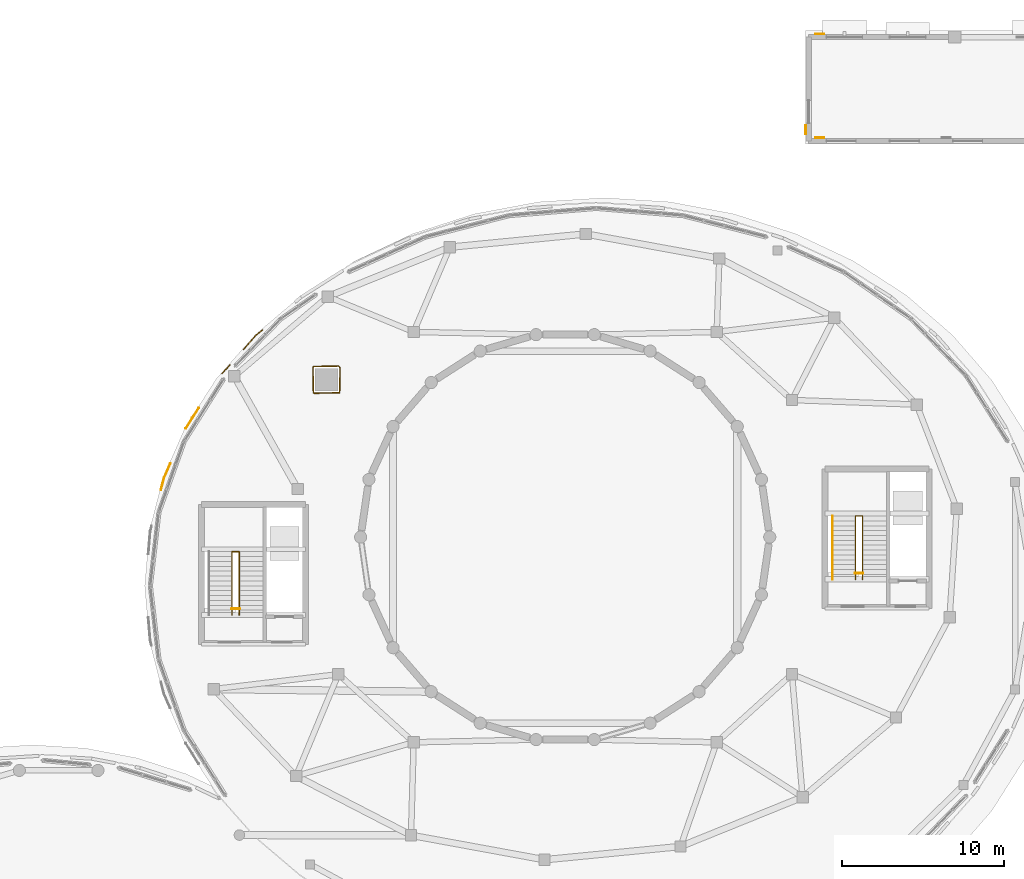
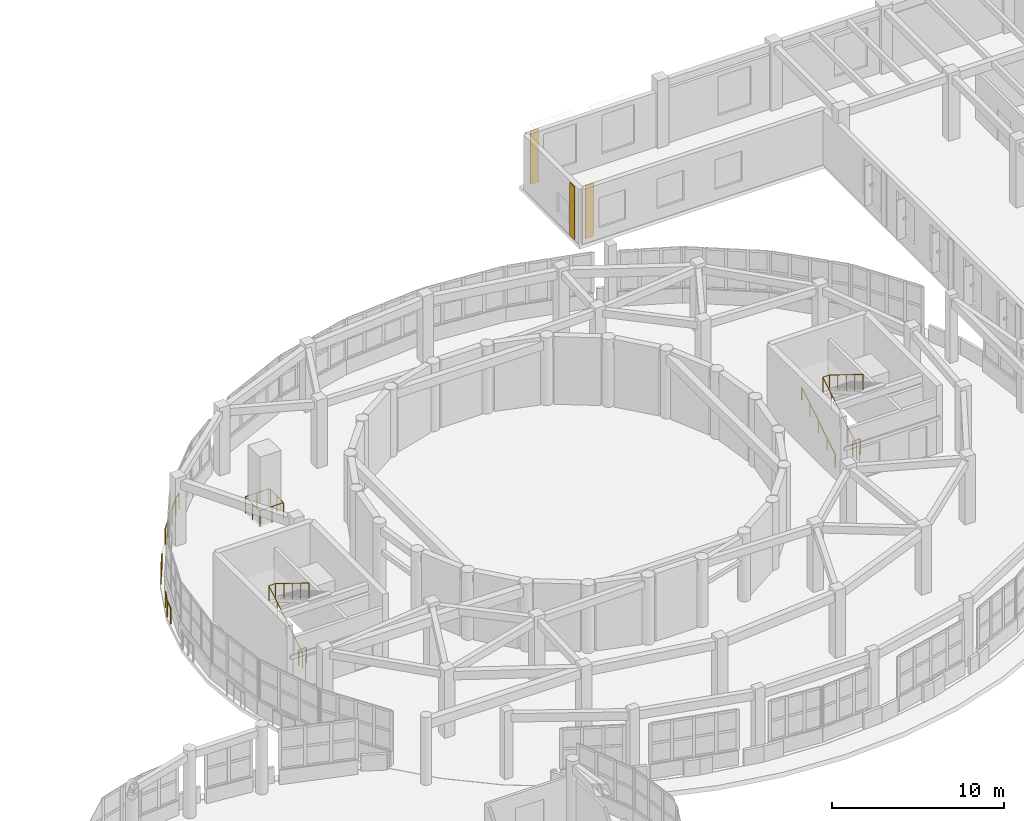
# One storey, part 95 of 98: 11 railings, 3 coverings.
"""IFC4 building model written with IfcOpenShell, lengths in metres."""

from ifc_helpers import new_model, si_unit, direction, frame, origin, origin_2d, place, context, subcontext, project, spatial, rectangle, circle, extrude, material, layer, layer_set, type_object, element, save


model = new_model("IFC4")

# Units and contexts
model_context = context("Model", 3, precision=1e-05, world=origin(), true_north=direction((0.0, 1.0)))
body_context = subcontext(model_context, "Body", "Model", "MODEL_VIEW")
ifc_project = project(units=[si_unit("LENGTHUNIT", "METRE"), si_unit("AREAUNIT", "SQUARE_METRE"), si_unit("VOLUMEUNIT", "CUBIC_METRE"), si_unit("PLANEANGLEUNIT", "RADIAN"), si_unit("MASSUNIT", "GRAM", prefix="KILO")], contexts=[model_context])

# Site, building, storey
site_placement = place(None, origin())
site = spatial("IfcSite", under=ifc_project, at=site_placement, CompositionType="ELEMENT")
building_placement = place(site_placement, origin())
building = spatial("IfcBuilding", under=site, at=building_placement, Name="Pelvatis Terrace Science Centre", CompositionType="ELEMENT")
storey_placement = place(building_placement, frame((0.0, 0.0, 5.39990234375)))
storey = spatial("IfcBuildingStorey", under=building, at=storey_placement, Name="L01", CompositionType="ELEMENT", Elevation=5.39990234375)

# Coverings
ifc_material_1 = material(Name="Fluted warm stone-aggregate precast facade relief panel", Category="masonry")
ifc_layer = layer(ifc_material_1, 0.054931640625)
ifc_layer_set = layer_set([ifc_layer], Name="Fluted warm stone-aggregate precast facade relief panel")
covering_type = type_object("IfcCoveringType", Name="COV-CLAD-PREC-55", PredefinedType="CLADDING", material=ifc_layer_set)
covering_1_placement = place(storey_placement, frame((124.8798828125, 116.78759765625, 0.06005859375), z_axis=(0.0, 0.0, 1.0), x_axis=(1.0, 0.0, 0.0)))
element("IfcCovering", 1, at=covering_1_placement, inside=storey, type_object=covering_type, Name="Classical fluted stone pilaster strip 21", PredefinedType="CLADDING", context=body_context, shape_type="SweptSolid", body=[
    extrude(rectangle(XDim=0.550048828125, YDim=0.054931640625, at=origin_2d()), origin(), (0.0, 0.0, 1.0), 3.739990234375),
])
covering_2_placement = place(storey_placement, frame((124.012451171875, 110.8798828125, 0.06005859375), z_axis=(0.0, 0.0, 1.0), x_axis=(1.0, 0.0, 0.0)))
element("IfcCovering", 2, at=covering_2_placement, inside=storey, type_object=covering_type, Name="Classical fluted stone pilaster strip 22", PredefinedType="CLADDING", context=body_context, shape_type="SweptSolid", body=[
    extrude(rectangle(XDim=0.054931640625, YDim=0.550048828125, at=origin_2d()), origin(), (0.0, 0.0, 1.0), 3.739990234375),
])
covering_3_placement = place(storey_placement, frame((124.8798828125, 110.387451171875, 0.06005859375), z_axis=(0.0, 0.0, 1.0), x_axis=(1.0, 0.0, 0.0)))
element("IfcCovering", 3, at=covering_3_placement, inside=storey, type_object=covering_type, Name="Classical fluted stone pilaster strip 23", PredefinedType="CLADDING", context=body_context, shape_type="SweptSolid", body=[
    extrude(rectangle(XDim=0.550048828125, YDim=0.054931640625, at=origin_2d()), origin(), (0.0, 0.0, 1.0), 3.739990234375),
])

# Railings
ifc_material_2 = material(Name="Bronze-anodised aluminium and laminated safety glass balustrade", Category="aluminium")
railing_type_1 = type_object("IfcRailingType", Name="RLG-BAL-1150", PredefinedType="BALUSTRADE", material=ifc_material_2)
railing_1_placement = place(storey_placement, frame((84.301025390625, 88.718994140625, 0.0)))
element("IfcRailing", 4, at=railing_1_placement, inside=storey, type_object=railing_type_1, Name="Perimeter edge balustrade RLG-EDG-L01-122", PredefinedType="BALUSTRADE", context=body_context, shape_type="SweptSolid", body=[
    extrude(circle(Radius=0.02392578125, at=origin_2d()), frame((0.0, 0.0, 1.1259765625), z_axis=(0.248094918409, 0.96873572839, 0.0), x_axis=(-0.96873572839, 0.248094918409, 0.0)), (0.0, 0.0, 1.0), 0.733154296875),
    extrude(circle(Radius=0.02392578125, at=origin_2d()), frame((0.181884765625, 0.710205078125, 1.1259765625), z_axis=(0.4023437367, 0.915488676903, 0.0), x_axis=(-0.915488676903, 0.4023437367, 0.0)), (0.0, 0.0, 1.0), 0.973876953125),
    extrude(circle(Radius=0.02099609375, at=origin_2d()), origin(), (0.0, 0.0, 1.0), 1.101806640625),
    extrude(circle(Radius=0.02099609375, at=origin_2d()), frame((0.181884765625, 0.710205078125, 0.0)), (0.0, 0.0, 1.0), 1.101806640625),
    extrude(circle(Radius=0.02099609375, at=origin_2d()), frame((0.57373046875, 1.601806640625, 0.0)), (0.0, 0.0, 1.0), 1.101806640625),
])
railing_2_placement = place(storey_placement, frame((85.83203125, 92.5, 0.0)))
element("IfcRailing", 5, at=railing_2_placement, inside=storey, type_object=railing_type_1, Name="Perimeter edge balustrade RLG-EDG-L01-123", PredefinedType="BALUSTRADE", context=body_context, shape_type="SweptSolid", body=[
    extrude(circle(Radius=0.02392578125, at=origin_2d()), frame((0.0, 0.0, 1.1259765625), z_axis=(0.533629471116, 0.84571838549, 0.0), x_axis=(-0.84571838549, 0.533629471116, 0.0)), (0.0, 0.0, 1.0), 1.490966796875),
    extrude(circle(Radius=0.02099609375, at=origin_2d()), origin(), (0.0, 0.0, 1.0), 1.101806640625),
    extrude(circle(Radius=0.02099609375, at=origin_2d()), frame((0.39794921875, 0.63037109375, 0.0)), (0.0, 0.0, 1.0), 1.101806640625),
    extrude(circle(Radius=0.02099609375, at=origin_2d()), frame((0.795654296875, 1.260986328125, 0.0)), (0.0, 0.0, 1.0), 1.101806640625),
])
railing_3_placement = place(storey_placement, frame((88.070068359375, 95.873291015625, 0.0)))
element("IfcRailing", 6, at=railing_3_placement, inside=storey, type_object=railing_type_1, Name="Perimeter edge balustrade RLG-EDG-L01-124", PredefinedType="BALUSTRADE", context=body_context, shape_type="SweptSolid", body=[
    extrude(circle(Radius=0.02392578125, at=origin_2d()), frame((0.0, 0.0, 1.1259765625), z_axis=(0.661587553381, 0.749867927846, 0.0), x_axis=(-0.749867927846, 0.661587553381, 0.0)), (0.0, 0.0, 1.0), 0.710693359375),
    extrude(circle(Radius=0.02099609375, at=origin_2d()), origin(), (0.0, 0.0, 1.0), 1.101806640625),
    extrude(circle(Radius=0.02099609375, at=origin_2d()), frame((0.47021484375, 0.532958984375, 0.0)), (0.0, 0.0, 1.0), 1.101806640625),
])
railing_4_placement = place(storey_placement, frame((89.386474609375, 97.36572265625, 0.0)))
element("IfcRailing", 7, at=railing_4_placement, inside=storey, type_object=railing_type_1, Name="Perimeter edge balustrade RLG-EDG-L01-125", PredefinedType="BALUSTRADE", context=body_context, shape_type="SweptSolid", body=[
    extrude(circle(Radius=0.02392578125, at=origin_2d()), frame((0.0, 0.0, 1.1259765625), z_axis=(0.661227825046, 0.750185152736, 0.0), x_axis=(-0.750185152736, 0.661227825046, 0.0)), (0.0, 0.0, 1.0), 1.1279296875),
    extrude(circle(Radius=0.02392578125, at=origin_2d()), frame((0.745849609375, 0.84619140625, 1.1259765625), z_axis=(0.76253592523, 0.646945873109, 0.0), x_axis=(-0.646945873109, 0.76253592523, 0.0)), (0.0, 0.0, 1.0), 0.544921875),
    extrude(circle(Radius=0.02099609375, at=origin_2d()), origin(), (0.0, 0.0, 1.0), 1.101806640625),
    extrude(circle(Radius=0.02099609375, at=origin_2d()), frame((0.745849609375, 0.84619140625, 0.0)), (0.0, 0.0, 1.0), 1.101806640625),
    extrude(circle(Radius=0.02099609375, at=origin_2d()), frame((1.161376953125, 1.19873046875, 0.0)), (0.0, 0.0, 1.0), 1.101806640625),
])
railing_5_placement = place(storey_placement, frame((95.3349609375, 96.235107421875, 0.0)))
element("IfcRailing", 8, at=railing_5_placement, inside=storey, type_object=railing_type_1, Name="Perimeter edge balustrade RLG-EDG-L01-239", PredefinedType="BALUSTRADE", context=body_context, shape_type="SweptSolid", body=[
    extrude(circle(Radius=0.02392578125, at=origin_2d()), frame((0.0, 0.0, 1.1259765625), z_axis=(-0.69740361411, 0.716678588369, 0.0), x_axis=(-0.716678588369, -0.69740361411, 0.0)), (0.0, 0.0, 1.0), 0.139404296875),
    extrude(circle(Radius=0.02392578125, at=origin_2d()), frame((-0.09716796875, 0.099853515625, 1.1259765625), z_axis=(-0.999842712423, -0.017735569178, 0.0), x_axis=(0.017735569178, -0.999842712423, 0.0)), (0.0, 0.0, 1.0), 1.541748046875),
    extrude(circle(Radius=0.02392578125, at=origin_2d()), frame((-1.638671875, 0.072509765625, 1.1259765625), z_axis=(-0.395784388511, -0.918343463967, 0.0), x_axis=(0.918343463967, -0.395784388511, 0.0)), (0.0, 0.0, 1.0), 0.078857421875),
    extrude(circle(Radius=0.02392578125, at=origin_2d()), frame((-1.669921875, 0.0, 1.1259765625), z_axis=(0.017766511544, -0.999842163078, 0.0), x_axis=(0.999842163078, 0.017766511544, 0.0)), (0.0, 0.0, 1.0), 1.5390625),
    extrude(circle(Radius=0.02099609375, at=origin_2d()), origin(), (0.0, 0.0, 1.0), 1.101806640625),
    extrude(circle(Radius=0.02099609375, at=origin_2d()), frame((-0.09716796875, 0.099853515625, 0.0)), (0.0, 0.0, 1.0), 1.101806640625),
    extrude(circle(Radius=0.02099609375, at=origin_2d()), frame((-0.867919921875, 0.086181640625, 0.0)), (0.0, 0.0, 1.0), 1.101806640625),
    extrude(circle(Radius=0.02099609375, at=origin_2d()), frame((-1.638671875, 0.072509765625, 0.0)), (0.0, 0.0, 1.0), 1.101806640625),
    extrude(circle(Radius=0.02099609375, at=origin_2d()), frame((-1.669921875, 0.0, 0.0)), (0.0, 0.0, 1.0), 1.101806640625),
    extrude(circle(Radius=0.02099609375, at=origin_2d()), frame((-1.65625, -0.76953125, 0.0)), (0.0, 0.0, 1.0), 1.101806640625),
    extrude(circle(Radius=0.02099609375, at=origin_2d()), frame((-1.642578125, -1.538818359375, 0.0)), (0.0, 0.0, 1.0), 1.101806640625),
])
railing_6_placement = place(storey_placement, frame((93.6923828125, 94.6962890625, 0.0)))
element("IfcRailing", 9, at=railing_6_placement, inside=storey, type_object=railing_type_1, Name="Perimeter edge balustrade RLG-EDG-L01-240", PredefinedType="BALUSTRADE", context=body_context, shape_type="SweptSolid", body=[
    extrude(circle(Radius=0.02392578125, at=origin_2d()), frame((0.0, 0.0, 1.1259765625), z_axis=(0.918343463967, -0.395784388511, 0.0), x_axis=(0.395784388511, 0.918343463967, 0.0)), (0.0, 0.0, 1.0), 0.078857421875),
    extrude(circle(Radius=0.02392578125, at=origin_2d()), frame((0.072509765625, -0.03125, 1.1259765625), z_axis=(0.999842163078, 0.017766511544, 0.0), x_axis=(-0.017766511544, 0.999842163078, 0.0)), (0.0, 0.0, 1.0), 1.5390625),
    extrude(circle(Radius=0.02392578125, at=origin_2d()), frame((1.611328125, -0.00390625, 1.1259765625), z_axis=(0.020252215155, 0.999794902858, 0.0), x_axis=(-0.999794902858, 0.020252215155, 0.0)), (0.0, 0.0, 1.0), 1.54296875),
    extrude(circle(Radius=0.02099609375, at=origin_2d()), origin(), (0.0, 0.0, 1.0), 1.101806640625),
    extrude(circle(Radius=0.02099609375, at=origin_2d()), frame((0.072509765625, -0.03125, 0.0)), (0.0, 0.0, 1.0), 1.101806640625),
    extrude(circle(Radius=0.02099609375, at=origin_2d()), frame((0.841796875, -0.017578125, 0.0)), (0.0, 0.0, 1.0), 1.101806640625),
    extrude(circle(Radius=0.02099609375, at=origin_2d()), frame((1.611328125, -0.00390625, 0.0)), (0.0, 0.0, 1.0), 1.101806640625),
    extrude(circle(Radius=0.02099609375, at=origin_2d()), frame((1.626953125, 0.767578125, 0.0)), (0.0, 0.0, 1.0), 1.101806640625),
    extrude(circle(Radius=0.02099609375, at=origin_2d()), frame((1.642578125, 1.538818359375, 0.0)), (0.0, 0.0, 1.0), 1.101806640625),
])
ifc_material_3 = material(Name="Brushed architectural bronze tubular railing", Category="steel")
railing_type_2 = type_object("IfcRailingType", Name="RLG-GRD-1120", PredefinedType="GUARDRAIL", material=ifc_material_3)
railing_7_placement = place(storey_placement, frame((88.679931640625, 81.0, 0.0)))
element("IfcRailing", 10, at=railing_7_placement, inside=storey, type_object=railing_type_2, Name="Stair ST-01-L01 inner well guardrail", PredefinedType="GUARDRAIL", context=body_context, shape_type="SweptSolid", body=[
    extrude(circle(Radius=0.02392578125, at=origin_2d()), frame((0.0, 0.0, 1.09619140625), z_axis=(0.0, 0.851638180308, 0.5241301459), x_axis=(-1.0, 0.0, 0.0)), (0.0, 0.0, 1.0), 4.579345703125),
    extrude(circle(Radius=0.02392578125, at=origin_2d()), frame((0.0, 3.89990234375, 3.49609375), z_axis=(1.0, 0.0, 0.0), x_axis=(0.0, 1.0, 0.0)), (0.0, 0.0, 1.0), 0.440185546875),
    extrude(circle(Radius=0.02392578125, at=origin_2d()), frame((0.440185546875, 3.89990234375, 3.49609375), z_axis=(0.0, -0.851661977835, 0.524091476281), x_axis=(1.0, 0.0, 0.0)), (0.0, 0.0, 1.0), 4.5791015625),
    extrude(circle(Radius=0.02099609375, at=origin_2d()), origin(), (0.0, 0.0, 1.0), 1.072021484375),
    extrude(circle(Radius=0.02099609375, at=origin_2d()), frame((0.0, 0.97509765625, 0.60009765625)), (0.0, 0.0, 1.0), 1.072021484375),
    extrude(circle(Radius=0.02099609375, at=origin_2d()), frame((0.0, 1.949951171875, 1.2001953125)), (0.0, 0.0, 1.0), 1.072021484375),
    extrude(circle(Radius=0.02099609375, at=origin_2d()), frame((0.0, 2.9248046875, 1.800048828125)), (0.0, 0.0, 1.0), 1.072021484375),
    extrude(circle(Radius=0.02099609375, at=origin_2d()), frame((0.0, 3.89990234375, 2.400146484375)), (0.0, 0.0, 1.0), 1.072021484375),
    extrude(circle(Radius=0.02099609375, at=origin_2d()), frame((0.440185546875, 3.89990234375, 2.400146484375)), (0.0, 0.0, 1.0), 1.072021484375),
    extrude(circle(Radius=0.02099609375, at=origin_2d()), frame((0.440185546875, 2.9248046875, 3.0)), (0.0, 0.0, 1.0), 1.072021484375),
    extrude(circle(Radius=0.02099609375, at=origin_2d()), frame((0.440185546875, 1.949951171875, 3.60009765625)), (0.0, 0.0, 1.0), 1.072021484375),
    extrude(circle(Radius=0.02099609375, at=origin_2d()), frame((0.440185546875, 0.97509765625, 4.2001953125)), (0.0, 0.0, 1.0), 1.072021484375),
    extrude(circle(Radius=0.02099609375, at=origin_2d()), frame((0.440185546875, 0.0, 4.800048828125)), (0.0, 0.0, 1.0), 1.072021484375),
])
railing_8_placement = place(storey_placement, frame((88.64990234375, 81.3798828125, 0.0)))
element("IfcRailing", 11, at=railing_8_placement, inside=storey, type_object=railing_type_2, Name="Core C1 landing well slot guard (L01)", PredefinedType="GUARDRAIL", context=body_context, shape_type="SweptSolid", body=[
    extrude(circle(Radius=0.02392578125, at=origin_2d()), frame((0.0, 0.0, 1.09619140625), z_axis=(1.0, 0.0, 0.0), x_axis=(0.0, 1.0, 0.0)), (0.0, 0.0, 1.0), 0.5),
    extrude(circle(Radius=0.02099609375, at=origin_2d()), origin(), (0.0, 0.0, 1.0), 1.072021484375),
    extrude(circle(Radius=0.02099609375, at=origin_2d()), frame((0.5, 0.0, 0.0)), (0.0, 0.0, 1.0), 1.072021484375),
])
railing_9_placement = place(storey_placement, frame((127.080078125, 83.199951171875, 0.0)))
element("IfcRailing", 12, at=railing_9_placement, inside=storey, type_object=railing_type_2, Name="Stair ST-02-L01 inner well guardrail", PredefinedType="GUARDRAIL", context=body_context, shape_type="SweptSolid", body=[
    extrude(circle(Radius=0.02392578125, at=origin_2d()), frame((0.0, 0.0, 1.09619140625), z_axis=(0.0, 0.851652825334, 0.524106349037), x_axis=(-1.0, 0.0, 0.0)), (0.0, 0.0, 1.0), 4.57958984375),
    extrude(circle(Radius=0.02392578125, at=origin_2d()), frame((0.0, 3.900146484375, 3.49609375), z_axis=(1.0, 0.0, 0.0), x_axis=(0.0, 1.0, 0.0)), (0.0, 0.0, 1.0), 0.43994140625),
    extrude(circle(Radius=0.02392578125, at=origin_2d()), frame((0.43994140625, 3.900146484375, 3.49609375), z_axis=(0.0, -0.851676621109, 0.524067679844), x_axis=(1.0, 0.0, 0.0)), (0.0, 0.0, 1.0), 4.579345703125),
    extrude(circle(Radius=0.02099609375, at=origin_2d()), origin(), (0.0, 0.0, 1.0), 1.072021484375),
    extrude(circle(Radius=0.02099609375, at=origin_2d()), frame((0.0, 0.97509765625, 0.60009765625)), (0.0, 0.0, 1.0), 1.072021484375),
    extrude(circle(Radius=0.02099609375, at=origin_2d()), frame((0.0, 1.9501953125, 1.2001953125)), (0.0, 0.0, 1.0), 1.072021484375),
    extrude(circle(Radius=0.02099609375, at=origin_2d()), frame((0.0, 2.925048828125, 1.800048828125)), (0.0, 0.0, 1.0), 1.072021484375),
    extrude(circle(Radius=0.02099609375, at=origin_2d()), frame((0.0, 3.900146484375, 2.400146484375)), (0.0, 0.0, 1.0), 1.072021484375),
    extrude(circle(Radius=0.02099609375, at=origin_2d()), frame((0.43994140625, 3.900146484375, 2.400146484375)), (0.0, 0.0, 1.0), 1.072021484375),
    extrude(circle(Radius=0.02099609375, at=origin_2d()), frame((0.43994140625, 2.925048828125, 3.0)), (0.0, 0.0, 1.0), 1.072021484375),
    extrude(circle(Radius=0.02099609375, at=origin_2d()), frame((0.43994140625, 1.9501953125, 3.60009765625)), (0.0, 0.0, 1.0), 1.072021484375),
    extrude(circle(Radius=0.02099609375, at=origin_2d()), frame((0.43994140625, 0.97509765625, 4.2001953125)), (0.0, 0.0, 1.0), 1.072021484375),
    extrude(circle(Radius=0.02099609375, at=origin_2d()), frame((0.43994140625, 0.0, 4.800048828125)), (0.0, 0.0, 1.0), 1.072021484375),
])
railing_10_placement = place(storey_placement, frame((127.050048828125, 83.580078125, 0.0)))
element("IfcRailing", 13, at=railing_10_placement, inside=storey, type_object=railing_type_2, Name="Core C2 landing well slot guard (L01)", PredefinedType="GUARDRAIL", context=body_context, shape_type="SweptSolid", body=[
    extrude(circle(Radius=0.02392578125, at=origin_2d()), frame((0.0, 0.0, 1.09619140625), z_axis=(1.0, 0.0, 0.0), x_axis=(0.0, 1.0, 0.0)), (0.0, 0.0, 1.0), 0.5),
    extrude(circle(Radius=0.02099609375, at=origin_2d()), origin(), (0.0, 0.0, 1.0), 1.072021484375),
    extrude(circle(Radius=0.02099609375, at=origin_2d()), frame((0.5, 0.0, 0.0)), (0.0, 0.0, 1.0), 1.072021484375),
])
ifc_material_4 = material(Name="Brushed architectural bronze tubular railing", Category="steel")
railing_type_3 = type_object("IfcRailingType", Name="RLG-HND-0900", PredefinedType="HANDRAIL", material=ifc_material_4)
railing_11_placement = place(storey_placement, frame((125.659912109375, 83.199951171875, 0.0)))
element("IfcRailing", 14, at=railing_11_placement, inside=storey, type_object=railing_type_3, Name="Stair ST-02-L01 wall handrail", PredefinedType="HANDRAIL", context=body_context, shape_type="SweptSolid", body=[
    extrude(circle(Radius=0.02392578125, at=origin_2d()), frame((0.0, 0.0, 0.8759765625), z_axis=(0.0, 0.851652825334, 0.524106349037), x_axis=(-1.0, 0.0, 0.0)), (0.0, 0.0, 1.0), 4.57958984375),
    extrude(circle(Radius=0.02099609375, at=origin_2d()), origin(), (0.0, 0.0, 1.0), 0.851806640625),
    extrude(circle(Radius=0.02099609375, at=origin_2d()), frame((0.0, 0.97509765625, 0.60009765625)), (0.0, 0.0, 1.0), 0.851806640625),
    extrude(circle(Radius=0.02099609375, at=origin_2d()), frame((0.0, 1.9501953125, 1.2001953125)), (0.0, 0.0, 1.0), 0.851806640625),
    extrude(circle(Radius=0.02099609375, at=origin_2d()), frame((0.0, 2.925048828125, 1.800048828125)), (0.0, 0.0, 1.0), 0.851806640625),
    extrude(circle(Radius=0.02099609375, at=origin_2d()), frame((0.0, 3.900146484375, 2.400146484375)), (0.0, 0.0, 1.0), 0.851806640625),
])

save(model, "model.ifc")
